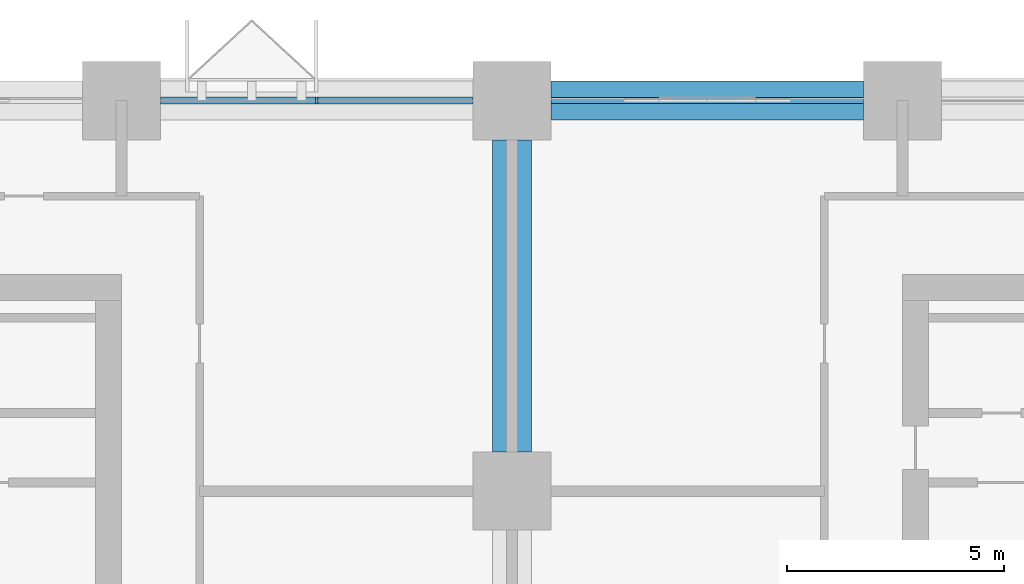
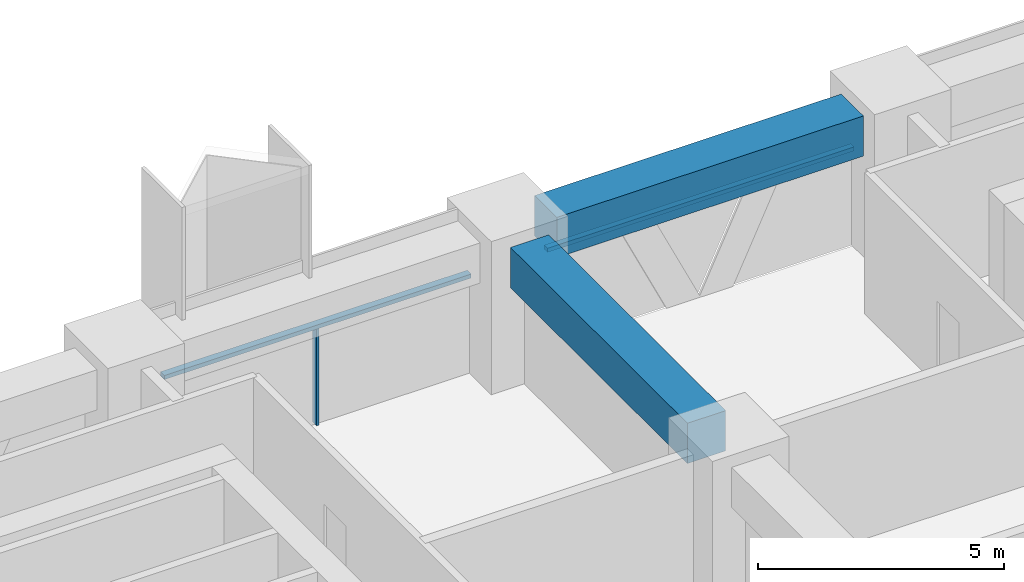
# One storey, part 7 of 18: 3 members, 2 beams, 2 elements without a shape of their own.
"""IFC4 building model written with IfcOpenShell, lengths in metres."""

from ifc_helpers import new_model, si_unit, direction, frame, origin, origin_2d, place, context, subcontext, project, spatial, rectangle, extrude, material, material_profile, profile_set, type_object, element, aggregate, save


model = new_model("IFC4")

# Units and contexts
model_context = context("Model", 3, precision=1e-05, world=origin(), true_north=direction((0.0, 1.0)))
body_context = subcontext(model_context, "Body", "Model", "MODEL_VIEW")
ifc_project = project(units=[si_unit("LENGTHUNIT", "METRE"), si_unit("AREAUNIT", "SQUARE_METRE"), si_unit("VOLUMEUNIT", "CUBIC_METRE"), si_unit("PLANEANGLEUNIT", "RADIAN"), si_unit("MASSUNIT", "GRAM", prefix="KILO")], contexts=[model_context])

# Site, building, storey
site_placement = place(None, origin())
site = spatial("IfcSite", under=ifc_project, at=site_placement, CompositionType="ELEMENT")
building_placement = place(site_placement, origin())
building = spatial("IfcBuilding", under=site, at=building_placement, Name="Tessera Arch", CompositionType="ELEMENT")
storey_placement = place(building_placement, frame((0.0, 0.0, 100.60009765625)))
storey = spatial("IfcBuildingStorey", under=building, at=storey_placement, Name="L23", CompositionType="ELEMENT", Elevation=100.60009765625)

# Curtain wall, members
ifc_material_1 = material(Name="CW1 curtain wall")
curtain_wall_type_1 = type_object("IfcCurtainWallType", Name="CW1 curtain wall", PredefinedType="NOTDEFINED", material=ifc_material_1)
curtain_wall_1_placement = place(storey_placement, origin())
curtain_wall_1 = element("IfcCurtainWall", 1, at=curtain_wall_1_placement, inside=storey, type_object=curtain_wall_type_1, Name="CW1 curtain wall N54.0/2 L23", PredefinedType="NOTDEFINED")
ifc_material_2 = material(Name="Anodised aluminium pale metal", Category="aluminium")
ifc_material_profile_1 = material_profile(ifc_material_2, rectangle(XDim=0.159912109375, YDim=0.06005859375, at=origin_2d()), Name="AL 60x160")
ifc_profile_set_1 = profile_set([ifc_material_profile_1], Name="Anodised aluminium pale metal")
member_type_1 = type_object("IfcMemberType", Name="CW1 mullion", PredefinedType="MULLION", material=ifc_profile_set_1)
member_1_placement = place(storey_placement, frame((22.5, 54.0, 0.0), z_axis=(0.0, 0.0, 1.0), x_axis=(0.0, -1.0, 0.0)))
member_1 = element("IfcMember", 2, at=member_1_placement, type_object=member_type_1, Name="CW1 mullion N54.0/2 1", PredefinedType="MULLION", context=body_context, shape_type="SweptSolid", body=[
    extrude(rectangle(XDim=0.159912109375, YDim=0.06005859375, at=origin_2d()), origin(), (0.0, 0.0, 1.0), 2.39990234375),
])
ifc_material_3 = material(Name="Anodised aluminium pale metal", Category="aluminium")
ifc_material_profile_2 = material_profile(ifc_material_3, rectangle(XDim=0.159912109375, YDim=0.10009765625, at=origin_2d()), Name="AL 160x100")
ifc_profile_set_2 = profile_set([ifc_material_profile_2], Name="Anodised aluminium pale metal")
member_type_2 = type_object("IfcMemberType", Name="CW1 transom", PredefinedType="USERDEFINED", material=ifc_profile_set_2)
member_2_placement = place(storey_placement, frame((26.10009765625, 54.0, 2.449951171875), z_axis=(-1.0, 0.0, 0.0), x_axis=(0.0, -1.0, 0.0)))
member_2 = element("IfcMember", 3, at=member_2_placement, type_object=member_type_2, Name="CW1 transom N54.0/2 1.1", ObjectType="TRANSOM", PredefinedType="USERDEFINED", context=body_context, shape_type="SweptSolid", body=[
    extrude(rectangle(XDim=0.159912109375, YDim=0.10009765625, at=origin_2d()), origin(), (0.0, 0.0, 1.0), 7.2001953125),
])
aggregate(curtain_wall_1, [member_1, member_2])

# Curtain wall, member
ifc_material_4 = material(Name="CW3 curtain wall")
curtain_wall_type_2 = type_object("IfcCurtainWallType", Name="CW3 curtain wall", PredefinedType="NOTDEFINED", material=ifc_material_4)
curtain_wall_2_placement = place(storey_placement, origin())
curtain_wall_2 = element("IfcCurtainWall", 4, at=curtain_wall_2_placement, inside=storey, type_object=curtain_wall_type_2, Name="CW3 curtain wall N54.0/1 L23", PredefinedType="NOTDEFINED")
ifc_material_5 = material(Name="Anodised aluminium pale metal", Category="aluminium")
ifc_material_profile_3 = material_profile(ifc_material_5, rectangle(XDim=0.139892578125, YDim=0.10009765625, at=origin_2d()), Name="AL 140x100")
ifc_profile_set_3 = profile_set([ifc_material_profile_3], Name="Anodised aluminium pale metal")
member_type_3 = type_object("IfcMemberType", Name="CW3 transom", PredefinedType="USERDEFINED", material=ifc_profile_set_3)
member_3_placement = place(storey_placement, frame((35.10009765625, 54.0, 2.449951171875), z_axis=(-1.0, 0.0, 0.0), x_axis=(0.0, -1.0, 0.0)))
member_3 = element("IfcMember", 5, at=member_3_placement, type_object=member_type_3, Name="CW3 transom N54.0/1 1.1", ObjectType="TRANSOM", PredefinedType="USERDEFINED", context=body_context, shape_type="SweptSolid", body=[
    extrude(rectangle(XDim=0.139892578125, YDim=0.10009765625, at=origin_2d()), origin(), (0.0, 0.0, 1.0), 7.2001953125),
])
aggregate(curtain_wall_2, [member_3])

# Beams
ifc_material_6 = material(Name="Concrete C80/95", Category="concrete")
ifc_material_profile_4 = material_profile(ifc_material_6, rectangle(XDim=0.89990234375, YDim=1.0, at=origin_2d()), Name="RC spandrel beam 900 x 1000 Concrete C80/95")
ifc_profile_set_4 = profile_set([ifc_material_profile_4], Name="Concrete C80/95")
beam_type = type_object("IfcBeamType", Name="RC spandrel beam 900 x 1000 Concrete C80/95", PredefinedType="BEAM", material=ifc_profile_set_4)
for number, where, z_axis, x_axis, name in (
    (6, (35.10009765625, 54.0, 3.0), (-1.0, 0.0, 0.0), (0.0, -1.0, 0.0), "Spandrel beam L23 N54.0/1"),
    (7, (27.0, 45.89990234375, 3.0), (0.0, 1.0, 0.0), (-1.0, 0.0, 0.0), "Interface beam L23 I0C4F-C4G"),
):
    element("IfcBeam", number, at=place(storey_placement, frame(where, z_axis=z_axis, x_axis=x_axis)), inside=storey, type_object=beam_type, Name=name, PredefinedType="BEAM", context=body_context, shape_type="SweptSolid", body=[
        extrude(rectangle(XDim=0.89990234375, YDim=1.0, at=origin_2d()), origin(), (0.0, 0.0, 1.0), 7.2001953125),
    ])

save(model, "model.ifc")
